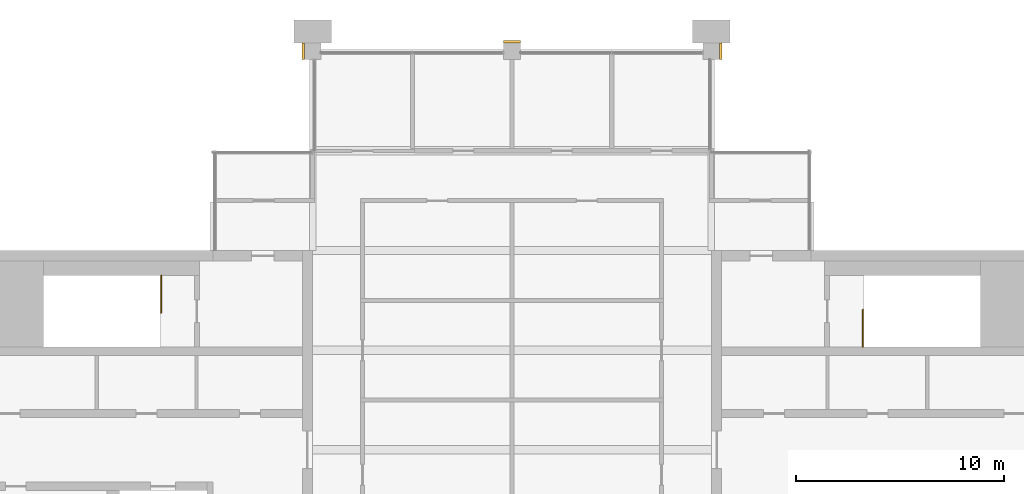
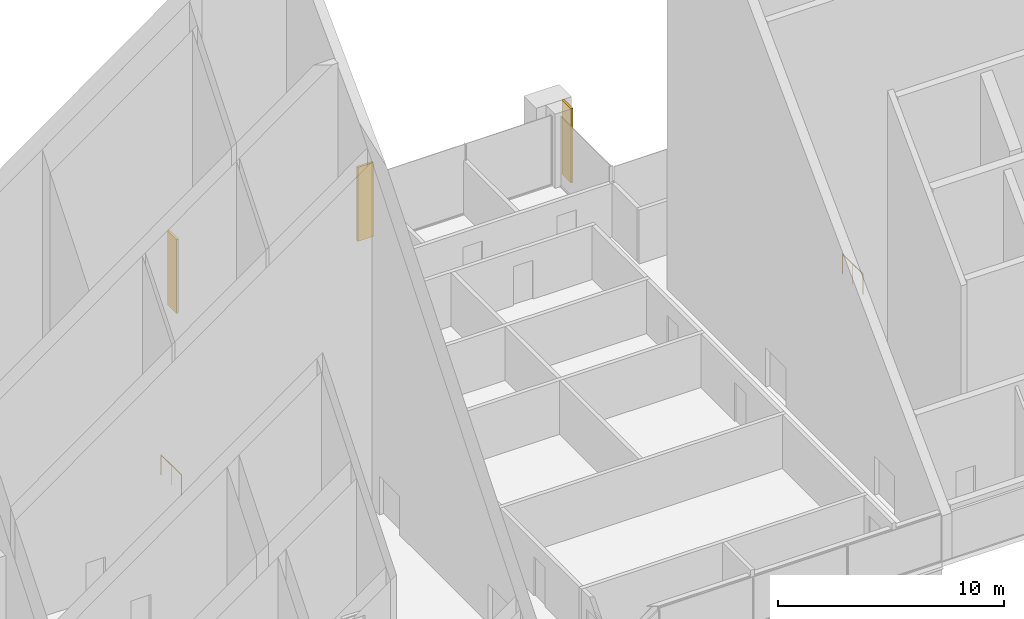
# One storey, part 12 of 12: 3 coverings, 2 railings.
"""IFC4 building model written with IfcOpenShell, lengths in metres."""

from ifc_helpers import new_model, si_unit, direction, frame, origin, origin_2d, place, context, subcontext, project, spatial, rectangle, circle, extrude, material, layer, layer_set, type_object, element, save


model = new_model("IFC4")

# Units and contexts
model_context = context("Model", 3, precision=1e-05, world=origin(), true_north=direction((0.0, 1.0)))
body_context = subcontext(model_context, "Body", "Model", "MODEL_VIEW")
ifc_project = project(units=[si_unit("LENGTHUNIT", "METRE"), si_unit("AREAUNIT", "SQUARE_METRE"), si_unit("VOLUMEUNIT", "CUBIC_METRE"), si_unit("PLANEANGLEUNIT", "RADIAN"), si_unit("MASSUNIT", "GRAM", prefix="KILO")], contexts=[model_context])

# Site, building, storey
site_placement = place(None, origin())
site = spatial("IfcSite", under=ifc_project, at=site_placement, CompositionType="ELEMENT")
building_placement = place(site_placement, origin())
building = spatial("IfcBuilding", under=site, at=building_placement, Name="Baori Bourse Tower", CompositionType="ELEMENT")
storey_placement = place(building_placement, frame((0.0, 0.0, 374.300048828125)))
storey = spatial("IfcBuildingStorey", under=building, at=storey_placement, Name="L84", CompositionType="ELEMENT", Elevation=374.300048828125)

# Railings
ifc_material_1 = material(Name="Powder-coated steel balustrade", Category="steel")
railing_type = type_object("IfcRailingType", Name="Core stair guard", PredefinedType="GUARDRAIL", material=ifc_material_1)
railing_1_placement = place(storey_placement, frame((11.89990234375, 37.199951171875, 0.0)))
element("IfcRailing", 1, at=railing_1_placement, inside=storey, type_object=railing_type, Name="L84 ST2 top well guard 1", PredefinedType="GUARDRAIL", context=body_context, shape_type="SweptSolid", body=[
    extrude(circle(Radius=0.02392578125, at=origin_2d()), frame((0.0, 0.0, 1.076171875), z_axis=(0.0, -1.0, 0.0), x_axis=(1.0, 0.0, 0.0)), (0.0, 0.0, 1.0), 1.800048828125),
    extrude(circle(Radius=0.02099609375, at=origin_2d()), origin(), (0.0, 0.0, 1.0), 1.052001953125),
    extrude(circle(Radius=0.02099609375, at=origin_2d()), frame((0.0, -0.89990234375, 0.0)), (0.0, 0.0, 1.0), 1.052001953125),
    extrude(circle(Radius=0.02099609375, at=origin_2d()), frame((0.0, -1.800048828125, 0.0)), (0.0, 0.0, 1.0), 1.052001953125),
])
railing_2_placement = place(storey_placement, frame((45.699951171875, 33.75, 0.0)))
element("IfcRailing", 2, at=railing_2_placement, inside=storey, type_object=railing_type, Name="L84 ST4 top well guard 1", PredefinedType="GUARDRAIL", context=body_context, shape_type="SweptSolid", body=[
    extrude(circle(Radius=0.02392578125, at=origin_2d()), frame((0.0, 0.0, 1.076171875), z_axis=(0.0, 1.0, 0.0), x_axis=(-1.0, 0.0, 0.0)), (0.0, 0.0, 1.0), 1.800048828125),
    extrude(circle(Radius=0.02099609375, at=origin_2d()), origin(), (0.0, 0.0, 1.0), 1.052001953125),
    extrude(circle(Radius=0.02099609375, at=origin_2d()), frame((0.0, 0.89990234375, 0.0)), (0.0, 0.0, 1.0), 1.052001953125),
    extrude(circle(Radius=0.02099609375, at=origin_2d()), frame((0.0, 1.800048828125, 0.0)), (0.0, 0.0, 1.0), 1.052001953125),
])

# Coverings
ifc_material_2 = material(Name="Face brick", Category="masonry")
ifc_layer = layer(ifc_material_2, 0.110107421875)
ifc_layer_set = layer_set([ifc_layer], Name="PC1 Brick pier facing")
covering_type = type_object("IfcCoveringType", Name="PC1 Brick pier facing", PredefinedType="CLADDING", material=ifc_layer_set)
covering_1_placement = place(storey_placement, frame((18.7451171875, 48.0, 0.0), z_axis=(0.0, 0.0, 1.0), x_axis=(1.0, 0.0, 0.0)))
element("IfcCovering", 3, at=covering_1_placement, inside=storey, type_object=covering_type, Name="Brick pier facing L84 1", PredefinedType="CLADDING", context=body_context, shape_type="SweptSolid", body=[
    extrude(rectangle(XDim=0.110107421875, YDim=0.800048828125, at=origin_2d()), origin(), (0.0, 0.0, 1.0), 4.0),
])
covering_2_placement = place(storey_placement, frame((28.800048828125, 48.455078125, 0.0), z_axis=(0.0, 0.0, 1.0), x_axis=(1.0, 0.0, 0.0)))
element("IfcCovering", 4, at=covering_2_placement, inside=storey, type_object=covering_type, Name="Brick pier facing L84 2", PredefinedType="CLADDING", context=body_context, shape_type="SweptSolid", body=[
    extrude(rectangle(XDim=0.800048828125, YDim=0.110107421875, at=origin_2d()), origin(), (0.0, 0.0, 1.0), 4.0),
])
covering_3_placement = place(storey_placement, frame((38.85498046875, 48.0, 0.0), z_axis=(0.0, 0.0, 1.0), x_axis=(1.0, 0.0, 0.0)))
element("IfcCovering", 5, at=covering_3_placement, inside=storey, type_object=covering_type, Name="Brick pier facing L84 3", PredefinedType="CLADDING", context=body_context, shape_type="SweptSolid", body=[
    extrude(rectangle(XDim=0.110107421875, YDim=0.800048828125, at=origin_2d()), origin(), (0.0, 0.0, 1.0), 4.0),
])

save(model, "model.ifc")
